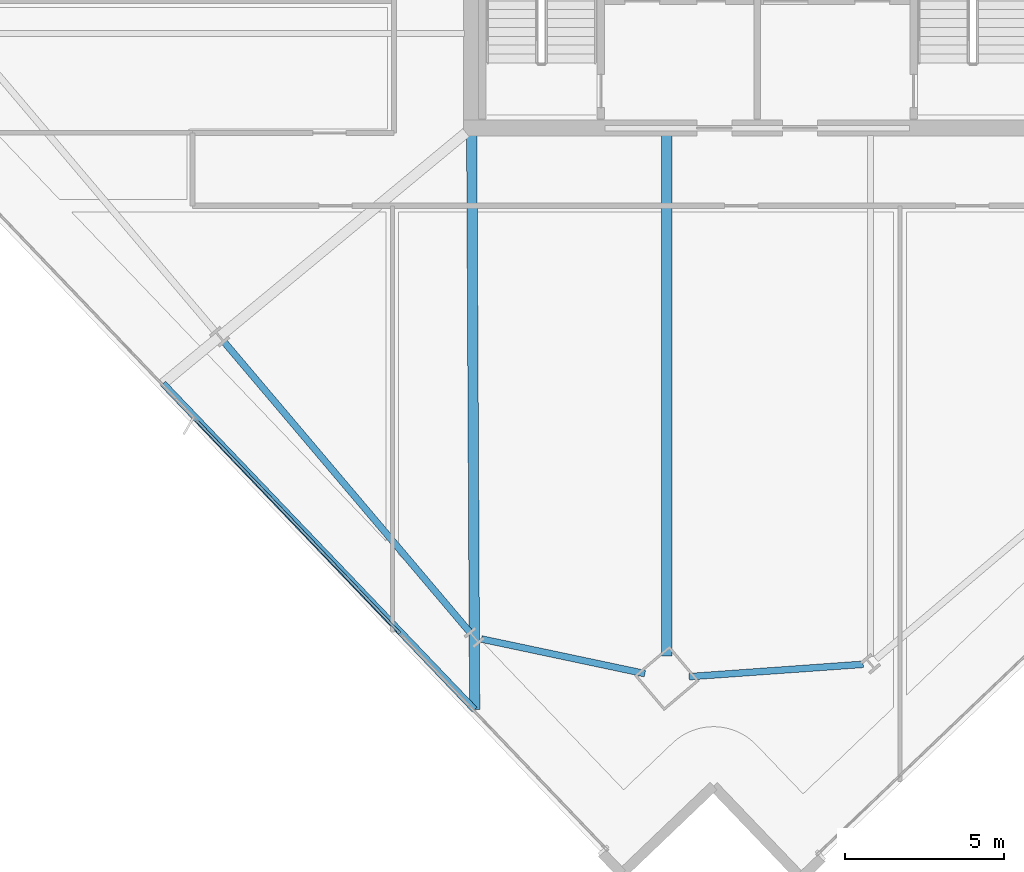
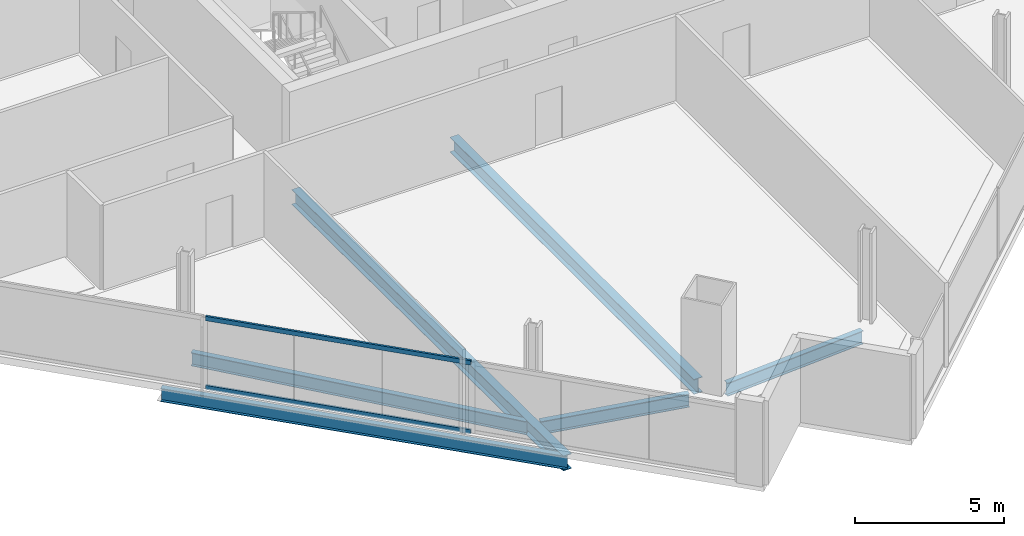
# One storey, part 3 of 33: 6 beams, 2 members, 1 element without a shape of its own.
"""IFC4 building model written with IfcOpenShell, lengths in metres."""

from ifc_helpers import new_model, si_unit, direction, frame, origin, origin_2d, place, context, subcontext, project, spatial, hollow_rectangle, i_section, extrude, material, material_profile, profile_set, type_object, element, aggregate, save


model = new_model("IFC4")

# Units and contexts
model_context = context("Model", 3, precision=1e-05, world=origin(), true_north=direction((0.0, 1.0)))
body_context = subcontext(model_context, "Body", "Model", "MODEL_VIEW")
ifc_project = project(units=[si_unit("LENGTHUNIT", "METRE"), si_unit("AREAUNIT", "SQUARE_METRE"), si_unit("VOLUMEUNIT", "CUBIC_METRE"), si_unit("PLANEANGLEUNIT", "RADIAN"), si_unit("MASSUNIT", "GRAM", prefix="KILO")], contexts=[model_context])

# Site, building, storey
site_placement = place(None, origin())
site = spatial("IfcSite", under=ifc_project, at=site_placement, CompositionType="ELEMENT")
building_placement = place(site_placement, origin())
building = spatial("IfcBuilding", under=site, at=building_placement, Name="Haldenkirk Collegiate Tower", CompositionType="ELEMENT")
storey_placement = place(building_placement, frame((0.0, 0.0, 174.449951171875)))
storey = spatial("IfcBuildingStorey", under=building, at=storey_placement, Name="L43", CompositionType="ELEMENT", Elevation=174.449951171875)

# Beams
ifc_material_1 = material(Name="Steel ASTM A992 Grade 50", Category="steel")
ifc_material_profile_1 = material_profile(ifc_material_1, i_section(OverallWidth=0.324951171875, OverallDepth=0.615966796875, WebThickness=0.013916015625, FlangeThickness=0.021484375, at=origin_2d()), Name="W24X117")
ifc_profile_set_1 = profile_set([ifc_material_profile_1], Name="Steel ASTM A992 Grade 50")
beam_type_1 = type_object("IfcBeamType", Name="BM-GIRDER-W24X117", PredefinedType="BEAM", material=ifc_profile_set_1)
beam_1_placement = place(storey_placement, frame((33.149169921875, 1.36279296875, -0.597900390625), z_axis=(0.0, 1.0, 0.0), x_axis=(-1.0, 0.0, 0.0)))
element("IfcBeam", 1, at=beam_1_placement, inside=storey, type_object=beam_type_1, Name="L43 primary floor girder 01", PredefinedType="BEAM", context=body_context, shape_type="SweptSolid", body=[
    extrude(i_section(OverallWidth=0.324951171875, OverallDepth=0.615966796875, WebThickness=0.013916015625, FlangeThickness=0.021484375, at=origin_2d()), origin(), (0.0, 0.0, 1.0), 16.4072265625),
])
beam_2_placement = place(storey_placement, frame((27.094482421875, -0.331298828125, -0.597900390625), z_axis=(-0.005152137491, 0.999986727652, 0.0), x_axis=(-0.999986727652, -0.005152137491, 0.0)))
element("IfcBeam", 2, at=beam_2_placement, inside=storey, type_object=beam_type_1, Name="L43 primary floor girder 16", PredefinedType="BEAM", context=body_context, shape_type="SweptSolid", body=[
    extrude(i_section(OverallWidth=0.324951171875, OverallDepth=0.615966796875, WebThickness=0.013916015625, FlangeThickness=0.021484375, at=origin_2d()), origin(), (0.0, 0.0, 1.0), 18.1015625),
])
ifc_material_profile_2 = material_profile(ifc_material_1, i_section(OverallWidth=0.2119140625, OverallDepth=0.5439453125, WebThickness=0.01318359375, FlangeThickness=0.021240234375, at=origin_2d()), Name="W21X83")
ifc_profile_set_2 = profile_set([ifc_material_profile_2], Name="Steel ASTM A992 Grade 50")
beam_type_2 = type_object("IfcBeamType", Name="BM-SPANDREL-W21X83", PredefinedType="SPANDREL", material=ifc_profile_set_2)
beam_3_placement = place(storey_placement, frame((33.852294921875, 0.707763671875, -0.56201171875), z_axis=(0.997489017738, 0.070821320891, 0.0), x_axis=(-0.070821320891, 0.997489017738, 0.0)))
element("IfcBeam", 3, at=beam_3_placement, inside=storey, type_object=beam_type_2, Name="L43 perimeter spandrel beam 01", PredefinedType="SPANDREL", context=body_context, shape_type="SweptSolid", body=[
    extrude(i_section(OverallWidth=0.2119140625, OverallDepth=0.5439453125, WebThickness=0.01318359375, FlangeThickness=0.021240234375, at=origin_2d()), origin(), (0.0, 0.0, 1.0), 5.501953125),
])
beam_4_placement = place(storey_placement, frame((19.202880859375, 11.250732421875, -0.56201171875), z_axis=(0.646115074743, -0.763240008248, 0.0), x_axis=(0.763240008248, 0.646115074743, 0.0)))
element("IfcBeam", 4, at=beam_4_placement, inside=storey, type_object=beam_type_2, Name="L43 perimeter spandrel beam 15", PredefinedType="SPANDREL", context=body_context, shape_type="SweptSolid", body=[
    extrude(i_section(OverallWidth=0.2119140625, OverallDepth=0.5439453125, WebThickness=0.01318359375, FlangeThickness=0.021240234375, at=origin_2d()), origin(), (0.0, 0.0, 1.0), 11.966796875),
])
beam_5_placement = place(storey_placement, frame((27.306884765625, 1.89501953125, -0.56201171875), z_axis=(0.978307627668, -0.207157393416, 0.0), x_axis=(0.207157393416, 0.978307627668, 0.0)))
element("IfcBeam", 5, at=beam_5_placement, inside=storey, type_object=beam_type_2, Name="L43 perimeter spandrel beam 16", PredefinedType="SPANDREL", context=body_context, shape_type="SweptSolid", body=[
    extrude(i_section(OverallWidth=0.2119140625, OverallDepth=0.5439453125, WebThickness=0.01318359375, FlangeThickness=0.021240234375, at=origin_2d()), origin(), (0.0, 0.0, 1.0), 5.266845703125),
])
beam_6_placement = place(storey_placement, frame((17.2705078125, 9.94921875, -0.56201171875), z_axis=(0.690871333052, -0.722977732138, 0.0), x_axis=(0.722977732138, 0.690871333052, 0.0)))
element("IfcBeam", 6, at=beam_6_placement, inside=storey, type_object=beam_type_2, Name="L43 outer facade edge beam 4", PredefinedType="SPANDREL", context=body_context, shape_type="SweptSolid", body=[
    extrude(i_section(OverallWidth=0.2119140625, OverallDepth=0.5439453125, WebThickness=0.01318359375, FlangeThickness=0.021240234375, at=origin_2d()), origin(), (0.0, 0.0, 1.0), 14.2197265625),
])

# Curtain wall, members
ifc_material_2 = material(Name="Anodised architectural bronze aluminium", Category="aluminium")
curtain_wall_type = type_object("IfcCurtainWallType", Name="CW-SYS1-CONVEX-LOW", PredefinedType="USERDEFINED", material=ifc_material_2)
curtain_wall_placement = place(storey_placement, origin())
curtain_wall = element("IfcCurtainWall", 7, at=curtain_wall_placement, inside=storey, type_object=curtain_wall_type, Name="L43 Lower tower convex bronze-framed unitised curtain wall", ObjectType="UNITISED CURTAIN WALL", PredefinedType="USERDEFINED")
ifc_material_profile_3 = material_profile(ifc_material_2, hollow_rectangle(XDim=0.080078125, YDim=0.179931640625, WallThickness=0.0048828125, at=origin_2d()), Name="CW-TRN-1A")
ifc_profile_set_3 = profile_set([ifc_material_profile_3], Name="Anodised architectural bronze aluminium")
member_type = type_object("IfcMemberType", Name="CW-TRN-1A", PredefinedType="USERDEFINED", material=ifc_profile_set_3)
member_1_placement = place(storey_placement, frame((24.739013671875, 2.075927734375, 0.0400390625), z_axis=(-0.690878837122, 0.722970561238, 0.0), x_axis=(-0.722970561238, -0.690878837122, 0.0)))
member_1 = element("IfcMember", 8, at=member_1_placement, type_object=member_type, Name="CW-1A transom 2.1", ObjectType="TRANSOM", PredefinedType="USERDEFINED", context=body_context, shape_type="SweptSolid", body=[
    extrude(hollow_rectangle(XDim=0.080078125, YDim=0.179931640625, WallThickness=0.0048828125, at=origin_2d()), origin(), (0.0, 0.0, 1.0), 9.288818359375),
])
member_2_placement = place(storey_placement, frame((24.739013671875, 2.075927734375, 2.87109375), z_axis=(-0.690878837122, 0.722970561238, 0.0), x_axis=(-0.722970561238, -0.690878837122, 0.0)))
member_2 = element("IfcMember", 9, at=member_2_placement, type_object=member_type, Name="CW-1A transom 2.2", ObjectType="TRANSOM", PredefinedType="USERDEFINED", context=body_context, shape_type="SweptSolid", body=[
    extrude(hollow_rectangle(XDim=0.080078125, YDim=0.179931640625, WallThickness=0.0048828125, at=origin_2d()), origin(), (0.0, 0.0, 1.0), 9.288818359375),
])
aggregate(curtain_wall, [member_1, member_2])

save(model, "model.ifc")
